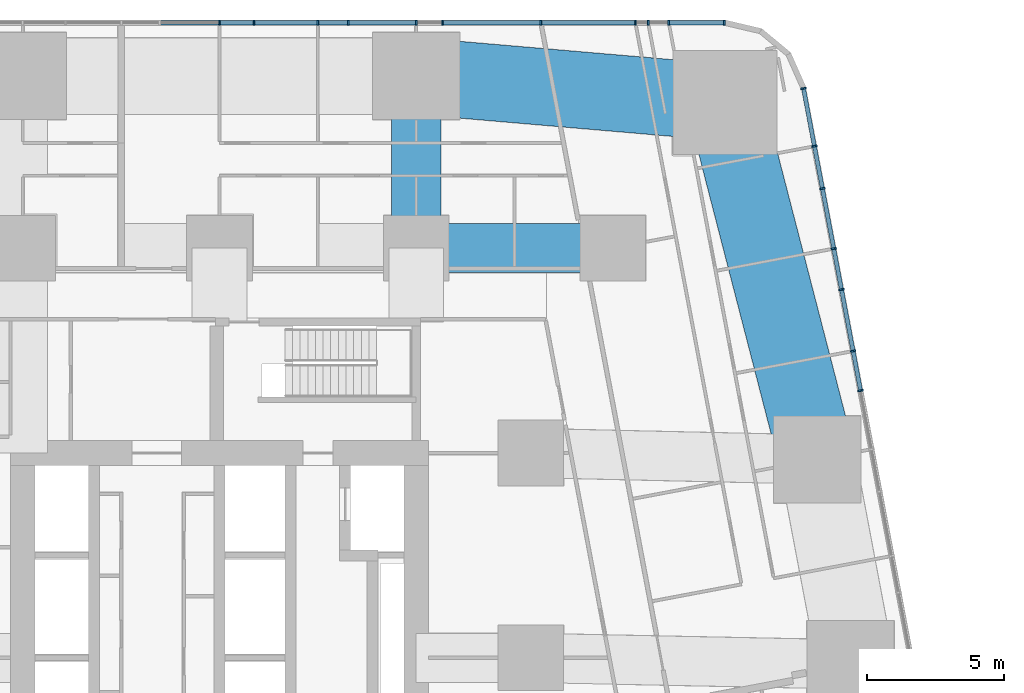
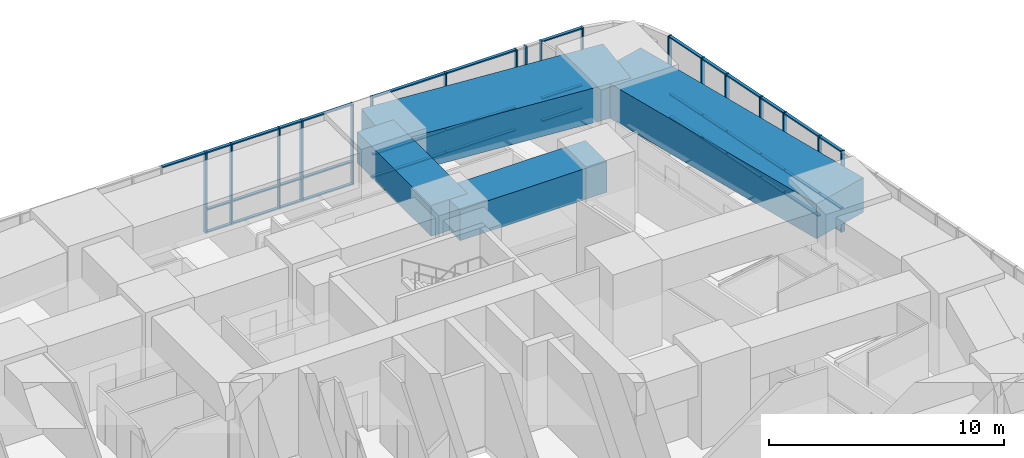
# One storey, part 8 of 23: 58 members, 4 beams, 2 elements without a shape of their own.
"""IFC4 building model written with IfcOpenShell, lengths in metres."""

import ifcopenshell
import ifcopenshell.guid

model = None  # the IFC model being written
_history = None  # IfcOwnerHistory: only IFC2X3 demands one
_inside = {}  # id of a spatial element -> (the spatial element, [elements in it])
_under = {}  # id of a project, library or spatial element -> (it, [spatial elements below it])
_declared = {}  # id of a project -> (the project, [libraries it declares])
_typed = {}  # id of a type object -> (the type object, [elements of that type])
_made_of = {}  # id of a material, layer set ... -> (it, [elements and type objects made of it])


def new_model(schema):
    """Start an empty IFC model of exactly this schema.

    Asked for "IFC4X3", IfcOpenShell would pick the latest addendum, in which some entities
    have other attributes; the version numbers below select the first issue.
    IFC2X3 requires an IfcOwnerHistory on every rooted entity: one is made here for all.
    """
    global model, _history
    if schema == "IFC4X3":
        model = ifcopenshell.file(schema_version=(4, 3, 0, 0))
    else:
        model = ifcopenshell.file(schema=schema)
    _inside.clear()
    _under.clear()
    _declared.clear()
    _typed.clear()
    _made_of.clear()
    _history = None
    if model.schema == "IFC2X3":
        org = make("IfcOrganization", Name="unknown")
        user = make(
            "IfcPersonAndOrganization",
            ThePerson=make("IfcPerson", FamilyName="unknown"),
            TheOrganization=org,
        )
        app = make(
            "IfcApplication",
            ApplicationDeveloper=org,
            Version="unknown",
            ApplicationFullName="unknown",
            ApplicationIdentifier="unknown",
        )
        _history = make(
            "IfcOwnerHistory",
            OwningUser=user,
            OwningApplication=app,
            ChangeAction="ADDED",
            CreationDate=0,
        )
    return model


def make(cls, **values):
    """One entity of the class cls with the attributes given. An attribute that is None is left unset."""
    return model.create_entity(
        cls, **{name: value for name, value in values.items() if value is not None}
    )


def rooted(cls, **values):
    """An entity with a GlobalId (a new one), such as an element, a storey or a relation."""
    return make(cls, GlobalId=ifcopenshell.guid.new(), OwnerHistory=_history, **values)


def si_unit(unit_type, name, prefix=None):
    """IfcSIUnit, for example si_unit("LENGTHUNIT", "METRE", prefix="MILLI")."""
    return make("IfcSIUnit", UnitType=unit_type, Prefix=prefix, Name=name)


def assignment(units):
    """IfcUnitAssignment: the units of a project."""
    return None if units is None else make("IfcUnitAssignment", Units=units)


def point(xyz):
    """IfcCartesianPoint."""
    return None if xyz is None else make("IfcCartesianPoint", Coordinates=xyz)


def direction(xyz):
    """IfcDirection."""
    return None if xyz is None else make("IfcDirection", DirectionRatios=xyz)


def frame(location, z_axis=None, x_axis=None):
    """IfcAxis2Placement3D, a coordinate frame: its origin and axes. An axis left out is left unset."""
    return make(
        "IfcAxis2Placement3D",
        Location=point(location),
        Axis=direction(z_axis),
        RefDirection=direction(x_axis),
    )


def frame_2d(location, x_axis=None):
    """IfcAxis2Placement2D, a coordinate frame in the plane: its origin and x axis."""
    return make(
        "IfcAxis2Placement2D", Location=point(location), RefDirection=direction(x_axis)
    )


def origin():
    """The frame at (0, 0, 0) with its axes left unset."""
    return frame((0.0, 0.0, 0.0))


def origin_2d():
    """The frame at (0, 0) in the plane with its x axis left unset."""
    return frame_2d((0.0, 0.0))


def place(relative_to, where):
    """IfcLocalPlacement: puts the frame where relative to a parent placement (None: the world)."""
    return make(
        "IfcLocalPlacement", PlacementRelTo=relative_to, RelativePlacement=where
    )


def context(
    kind, dimensions, precision=None, world=None, true_north=None, identifier=None
):
    """IfcGeometricRepresentationContext, for example the 3D "Model" context."""
    return make(
        "IfcGeometricRepresentationContext",
        ContextIdentifier=identifier,
        ContextType=kind,
        CoordinateSpaceDimension=dimensions,
        Precision=precision,
        WorldCoordinateSystem=world,
        TrueNorth=true_north,
    )


def subcontext(parent, identifier, kind, view, scale=None):
    """IfcGeometricRepresentationSubContext, for example "Body" below "Model"."""
    return make(
        "IfcGeometricRepresentationSubContext",
        ContextIdentifier=identifier,
        ContextType=kind,
        ParentContext=parent,
        TargetScale=scale,
        TargetView=view,
    )


def project(units=None, contexts=None):
    """IfcProject with its units and contexts."""
    return rooted(
        "IfcProject",
        Name="project",
        RepresentationContexts=contexts,
        UnitsInContext=assignment(units),
    )


def spatial(cls, under=None, at=None, **own):
    """A site, building, storey or space (cls), placed at a placement, below another one or the project."""
    s = rooted(cls, ObjectPlacement=at, **own)
    if under is not None:
        _under.setdefault(under.id(), (under, []))[1].append(s)
    return s


def profile(cls, at=None, kind="AREA", **sizes):
    """A parametric profile (cls). Its sizes go by their IFC names, for example OverallWidth=200.0."""
    return make(cls, ProfileType=kind, Position=at, **sizes)


def rectangle(**sizes):
    """IfcRectangleProfileDef."""
    return profile("IfcRectangleProfileDef", **sizes)


def extrude(swept, where, along, depth):
    """IfcExtrudedAreaSolid: the profile swept, set in the frame where, extruded along a direction by depth."""
    return make(
        "IfcExtrudedAreaSolid",
        SweptArea=swept,
        Position=where,
        ExtrudedDirection=direction(along),
        Depth=depth,
    )


def shape(context_of_items, identifier, shape_type, items):
    """IfcShapeRepresentation: the items that make up one representation, for example the "Body"."""
    return make(
        "IfcShapeRepresentation",
        ContextOfItems=context_of_items,
        RepresentationIdentifier=identifier,
        RepresentationType=shape_type,
        Items=items,
    )


def material(Name=None, Category=None):
    """IfcMaterial."""
    return make("IfcMaterial", Name=Name, Category=Category)


def material_profile(
    of_material, cross_section, Name=None, Category=None, Priority=None
):
    """IfcMaterialProfile: a cross section and its material."""
    return make(
        "IfcMaterialProfile",
        Name=Name,
        Material=of_material,
        Profile=cross_section,
        Priority=Priority,
        Category=Category,
    )


def profile_set(profiles, Name=None, composite=None):
    """IfcMaterialProfileSet."""
    return make(
        "IfcMaterialProfileSet",
        Name=Name,
        MaterialProfiles=profiles,
        CompositeProfile=composite,
    )


def made_of(thing, what):
    """Note that an element or type object is made of a material, layer set ...; save() writes the relation."""
    if what is not None:
        _made_of.setdefault(what.id(), (what, []))[1].append(thing)
    return thing


def type_object(cls, material=None, **own):
    """A type object (cls), such as IfcWallType, which elements share."""
    return made_of(rooted(cls, **own), material)


def element(
    cls,
    number,
    at=None,
    inside=None,
    cuts=None,
    type_object=None,
    material=None,
    context=None,
    identifier="Body",
    shape_type=None,
    held_by="IfcProductDefinitionShape",
    body=None,
    shapes=None,
    **own,
):
    """One element of the class cls, such as IfcWall. Its Tag is "e" and its number.

    at: its placement. inside: the storey or other place that contains it. cuts: it is an
    opening in that element (IfcRelVoidsElement). A single representation is given by context,
    identifier, shape_type and body (its items); several are given by shapes. held_by: the class
    of the entity that holds the representations. save() writes the other relations.
    """
    e = rooted(cls, Tag="e%d" % number, ObjectPlacement=at, **own)
    if body is not None:
        shapes = [shape(context, identifier, shape_type, body)]
    if shapes is not None:
        e.Representation = make(held_by, Representations=shapes)
    if inside is not None:
        _inside.setdefault(inside.id(), (inside, []))[1].append(e)
    if cuts is not None:
        rooted(
            "IfcRelVoidsElement", RelatingBuildingElement=cuts, RelatedOpeningElement=e
        )
    if type_object is not None:
        _typed.setdefault(type_object.id(), (type_object, []))[1].append(e)
    return made_of(e, material)


def aggregate(whole, parts):
    """IfcRelAggregates: a whole, such as a stair, and the parts it consists of."""
    return rooted("IfcRelAggregates", RelatingObject=whole, RelatedObjects=parts)


def save(model, path):
    """Write the relations noted so far, then the file.

    IfcRelAggregates (storeys below a building ...), IfcRelContainedInSpatialStructure (elements
    in a storey), IfcRelDefinesByType, IfcRelAssociatesMaterial and IfcRelDeclares: one each for
    every whole, place, type object, material and project.
    """
    for whole, parts in _under.values():
        aggregate(whole, parts)
    for where, things in _inside.values():
        rooted(
            "IfcRelContainedInSpatialStructure",
            RelatedElements=things,
            RelatingStructure=where,
        )
    for kind, things in _typed.values():
        rooted("IfcRelDefinesByType", RelatedObjects=things, RelatingType=kind)
    for what, things in _made_of.values():
        rooted("IfcRelAssociatesMaterial", RelatedObjects=things, RelatingMaterial=what)
    for by, libraries in _declared.values():
        rooted("IfcRelDeclares", RelatingContext=by, RelatedDefinitions=libraries)
    model.write(path)


model = new_model("IFC4")

# Units and contexts
model_context = context("Model", 3, precision=1e-05, world=origin(), true_north=direction((0.0, 1.0)))
body_context = subcontext(model_context, "Body", "Model", "MODEL_VIEW")
ifc_project = project(units=[si_unit("LENGTHUNIT", "METRE"), si_unit("AREAUNIT", "SQUARE_METRE"), si_unit("VOLUMEUNIT", "CUBIC_METRE"), si_unit("PLANEANGLEUNIT", "RADIAN"), si_unit("MASSUNIT", "GRAM", prefix="KILO")], contexts=[model_context])

# Site, building, storey
site_placement = place(None, origin())
site = spatial("IfcSite", under=ifc_project, at=site_placement, CompositionType="ELEMENT")
building_placement = place(site_placement, origin())
building = spatial("IfcBuilding", under=site, at=building_placement, Name="Sheger Commons Tower", CompositionType="ELEMENT")
storey_placement = place(building_placement, frame((0.0, 0.0, 5.60009765625)))
storey = spatial("IfcBuildingStorey", under=building, at=storey_placement, Name="L01", CompositionType="ELEMENT", Elevation=5.60009765625)

# Beams
ifc_material_1 = material(Name="Concrete C50/60", Category="concrete")
ifc_material_profile_1 = material_profile(ifc_material_1, rectangle(XDim=1.800048828125, YDim=1.60009765625, at=origin_2d()), Name="RC 1800x1600")
ifc_profile_set_1 = profile_set([ifc_material_profile_1], Name="Concrete C50/60")
beam_type_1 = type_object("IfcBeamType", Name="BEAM RC 1800x1600", PredefinedType="BEAM", material=ifc_profile_set_1)
beam_1_placement = place(storey_placement, frame((28.800048828125, 37.5, 3.39990234375), z_axis=(1.0, 0.0, 0.0), x_axis=(0.0, 1.0, 0.0)))
element("IfcBeam", 1, at=beam_1_placement, inside=storey, type_object=beam_type_1, Name="Beam 5/F-6/F under L02", PredefinedType="BEAM", context=body_context, shape_type="SweptSolid", body=[
    extrude(rectangle(XDim=1.800048828125, YDim=1.60009765625, at=origin_2d()), origin(), (0.0, 0.0, 1.0), 7.199951171875),
])
beam_2_placement = place(storey_placement, frame((28.800048828125, 37.5, 3.39990234375), z_axis=(0.0, 1.0, 0.0), x_axis=(-1.0, 0.0, 0.0)))
element("IfcBeam", 2, at=beam_2_placement, inside=storey, type_object=beam_type_1, Name="Beam 5/F-5/G under L02", PredefinedType="BEAM", context=body_context, shape_type="SweptSolid", body=[
    extrude(rectangle(XDim=1.800048828125, YDim=1.60009765625, at=origin_2d()), origin(), (0.0, 0.0, 1.0), 6.300048828125),
])

# Curtain wall, members
ifc_material_2 = material(Name="Black aluminium curtain wall, dark tinted glazing", Category="aluminium")
curtain_wall_type = type_object("IfcCurtainWallType", Name="CURTAIN WALL CW2 HEALTH CENTRE", PredefinedType="USERDEFINED", material=ifc_material_2)
curtain_wall_1_placement = place(storey_placement, origin())
curtain_wall_1 = element("IfcCurtainWall", 3, at=curtain_wall_1_placement, inside=storey, type_object=curtain_wall_type, Name="Curtain Wall Cw2 Health Centre E1 L01", ObjectType="STICK CURTAIN WALL", PredefinedType="USERDEFINED")
ifc_material_3 = material(Name="Black anodised aluminium", Category="aluminium")
ifc_material_profile_2 = material_profile(ifc_material_3, rectangle(XDim=0.199951171875, YDim=0.06494140625, at=origin_2d()), Name="AL 65x200")
ifc_profile_set_2 = profile_set([ifc_material_profile_2], Name="Black anodised aluminium")
member_type_1 = type_object("IfcMemberType", Name="MULLION AL 65x200", PredefinedType="MULLION", material=ifc_profile_set_2)
member_1_placement = place(storey_placement, frame((45.0654296875, 32.283935546875, 0.0), z_axis=(0.0, 0.0, 1.0), x_axis=(-0.982623514181, -0.185609884918, 0.0)))
member_1 = element("IfcMember", 4, at=member_1_placement, type_object=member_type_1, Name="CW2 mullion 15", PredefinedType="MULLION", context=body_context, shape_type="SweptSolid", body=[
    extrude(rectangle(XDim=0.199951171875, YDim=0.06494140625, at=origin_2d()), origin(), (0.0, 0.0, 1.0), 4.199951171875),
])
member_2_placement = place(storey_placement, frame((44.7919921875, 33.731201171875, 0.0), z_axis=(0.0, 0.0, 1.0), x_axis=(-0.982623514181, -0.185609884918, 0.0)))
member_2 = element("IfcMember", 5, at=member_2_placement, type_object=member_type_1, Name="CW2 mullion 16", PredefinedType="MULLION", context=body_context, shape_type="SweptSolid", body=[
    extrude(rectangle(XDim=0.199951171875, YDim=0.06494140625, at=origin_2d()), origin(), (0.0, 0.0, 1.0), 4.199951171875),
])
member_3_placement = place(storey_placement, frame((44.366943359375, 35.9814453125, 0.0), z_axis=(0.0, 0.0, 1.0), x_axis=(-0.982623514181, -0.185609884918, 0.0)))
member_3 = element("IfcMember", 6, at=member_3_placement, type_object=member_type_1, Name="CW2 mullion 17", PredefinedType="MULLION", context=body_context, shape_type="SweptSolid", body=[
    extrude(rectangle(XDim=0.199951171875, YDim=0.06494140625, at=origin_2d()), origin(), (0.0, 0.0, 1.0), 4.199951171875),
])
member_4_placement = place(storey_placement, frame((44.083740234375, 37.48095703125, 0.0), z_axis=(0.0, 0.0, 1.0), x_axis=(-0.982623514181, -0.185609884918, 0.0)))
member_4 = element("IfcMember", 7, at=member_4_placement, type_object=member_type_1, Name="CW2 mullion 18", PredefinedType="MULLION", context=body_context, shape_type="SweptSolid", body=[
    extrude(rectangle(XDim=0.199951171875, YDim=0.06494140625, at=origin_2d()), origin(), (0.0, 0.0, 1.0), 4.199951171875),
])
member_5_placement = place(storey_placement, frame((43.66845703125, 39.67919921875, 0.0), z_axis=(0.0, 0.0, 1.0), x_axis=(-0.982623514181, -0.185609884918, 0.0)))
member_5 = element("IfcMember", 8, at=member_5_placement, type_object=member_type_1, Name="CW2 mullion 19", PredefinedType="MULLION", context=body_context, shape_type="SweptSolid", body=[
    extrude(rectangle(XDim=0.199951171875, YDim=0.06494140625, at=origin_2d()), origin(), (0.0, 0.0, 1.0), 4.199951171875),
])
member_6_placement = place(storey_placement, frame((43.37548828125, 41.230712890625, 0.0), z_axis=(0.0, 0.0, 1.0), x_axis=(-0.982623514181, -0.185609884918, 0.0)))
member_6 = element("IfcMember", 9, at=member_6_placement, type_object=member_type_1, Name="CW2 mullion 20", PredefinedType="MULLION", context=body_context, shape_type="SweptSolid", body=[
    extrude(rectangle(XDim=0.199951171875, YDim=0.06494140625, at=origin_2d()), origin(), (0.0, 0.0, 1.0), 4.199951171875),
])
member_7_placement = place(storey_placement, frame((42.97607421875, 43.344970703125, 0.0), z_axis=(0.0, 0.0, 1.0), x_axis=(-0.982623514181, -0.185609884918, 0.0)))
member_7 = element("IfcMember", 10, at=member_7_placement, type_object=member_type_1, Name="CW2 mullion 21", PredefinedType="MULLION", context=body_context, shape_type="SweptSolid", body=[
    extrude(rectangle(XDim=0.199951171875, YDim=0.06494140625, at=origin_2d()), origin(), (0.0, 0.0, 1.0), 4.199951171875),
])

curtain_wall_2_placement = place(storey_placement, origin())
curtain_wall_2 = element("IfcCurtainWall", 11, at=curtain_wall_2_placement, inside=storey, type_object=curtain_wall_type, Name="Curtain Wall Cw2 Health Centre N1 L01", ObjectType="STICK CURTAIN WALL", PredefinedType="USERDEFINED")
member_8_placement = place(storey_placement, frame((40.073486328125, 45.75, 0.0), z_axis=(0.0, 0.0, 1.0), x_axis=(0.0, -1.0, 0.0)))
member_8 = element("IfcMember", 12, at=member_8_placement, type_object=member_type_1, Name="CW2 mullion 1", PredefinedType="MULLION", context=body_context, shape_type="SweptSolid", body=[
    extrude(rectangle(XDim=0.199951171875, YDim=0.06494140625, at=origin_2d()), origin(), (0.0, 0.0, 1.0), 4.199951171875),
])
member_9_placement = place(storey_placement, frame((38.0439453125, 45.75, 0.0), z_axis=(0.0, 0.0, 1.0), x_axis=(0.0, -1.0, 0.0)))
member_9 = element("IfcMember", 13, at=member_9_placement, type_object=member_type_1, Name="CW2 mullion 2", PredefinedType="MULLION", context=body_context, shape_type="SweptSolid", body=[
    extrude(rectangle(XDim=0.199951171875, YDim=0.06494140625, at=origin_2d()), origin(), (0.0, 0.0, 1.0), 4.199951171875),
])
member_10_placement = place(storey_placement, frame((37.2919921875, 45.75, 0.0), z_axis=(0.0, 0.0, 1.0), x_axis=(0.0, -1.0, 0.0)))
member_10 = element("IfcMember", 14, at=member_10_placement, type_object=member_type_1, Name="CW2 mullion 3", PredefinedType="MULLION", context=body_context, shape_type="SweptSolid", body=[
    extrude(rectangle(XDim=0.199951171875, YDim=0.06494140625, at=origin_2d()), origin(), (0.0, 0.0, 1.0), 4.199951171875),
])
member_11_placement = place(storey_placement, frame((36.822998046875, 45.75, 0.0), z_axis=(0.0, 0.0, 1.0), x_axis=(0.0, -1.0, 0.0)))
member_11 = element("IfcMember", 15, at=member_11_placement, type_object=member_type_1, Name="CW2 mullion 4", PredefinedType="MULLION", context=body_context, shape_type="SweptSolid", body=[
    extrude(rectangle(XDim=0.199951171875, YDim=0.06494140625, at=origin_2d()), origin(), (0.0, 0.0, 1.0), 4.199951171875),
])
member_12_placement = place(storey_placement, frame((33.363037109375, 45.75, 0.0), z_axis=(0.0, 0.0, 1.0), x_axis=(0.0, -1.0, 0.0)))
member_12 = element("IfcMember", 16, at=member_12_placement, type_object=member_type_1, Name="CW2 mullion 5", PredefinedType="MULLION", context=body_context, shape_type="SweptSolid", body=[
    extrude(rectangle(XDim=0.199951171875, YDim=0.06494140625, at=origin_2d()), origin(), (0.0, 0.0, 1.0), 4.199951171875),
])
member_13_placement = place(storey_placement, frame((29.758056640625, 45.75, 0.0), z_axis=(0.0, 0.0, 1.0), x_axis=(0.0, -1.0, 0.0)))
member_13 = element("IfcMember", 17, at=member_13_placement, type_object=member_type_1, Name="CW2 mullion 6", PredefinedType="MULLION", context=body_context, shape_type="SweptSolid", body=[
    extrude(rectangle(XDim=0.199951171875, YDim=0.06494140625, at=origin_2d()), origin(), (0.0, 0.0, 1.0), 4.199951171875),
])
member_14_placement = place(storey_placement, frame((28.800048828125, 45.75, 0.0), z_axis=(0.0, 0.0, 1.0), x_axis=(0.0, -1.0, 0.0)))
member_14 = element("IfcMember", 18, at=member_14_placement, type_object=member_type_1, Name="CW2 mullion 7", PredefinedType="MULLION", context=body_context, shape_type="SweptSolid", body=[
    extrude(rectangle(XDim=0.199951171875, YDim=0.06494140625, at=origin_2d()), origin(), (0.0, 0.0, 1.0), 4.199951171875),
])
member_15_placement = place(storey_placement, frame((26.30908203125, 45.75, 0.0), z_axis=(0.0, 0.0, 1.0), x_axis=(0.0, -1.0, 0.0)))
member_15 = element("IfcMember", 19, at=member_15_placement, type_object=member_type_1, Name="CW2 mullion 8", PredefinedType="MULLION", context=body_context, shape_type="SweptSolid", body=[
    extrude(rectangle(XDim=0.199951171875, YDim=0.06494140625, at=origin_2d()), origin(), (0.0, 0.0, 1.0), 4.199951171875),
])
member_16_placement = place(storey_placement, frame((25.199951171875, 45.75, 0.0), z_axis=(0.0, 0.0, 1.0), x_axis=(0.0, -1.0, 0.0)))
member_16 = element("IfcMember", 20, at=member_16_placement, type_object=member_type_1, Name="CW2 mullion 9", PredefinedType="MULLION", context=body_context, shape_type="SweptSolid", body=[
    extrude(rectangle(XDim=0.199951171875, YDim=0.06494140625, at=origin_2d()), origin(), (0.0, 0.0, 1.0), 4.199951171875),
])
member_17_placement = place(storey_placement, frame((22.85888671875, 45.75, 0.0), z_axis=(0.0, 0.0, 1.0), x_axis=(0.0, -1.0, 0.0)))
member_17 = element("IfcMember", 21, at=member_17_placement, type_object=member_type_1, Name="CW2 mullion 10", PredefinedType="MULLION", context=body_context, shape_type="SweptSolid", body=[
    extrude(rectangle(XDim=0.199951171875, YDim=0.06494140625, at=origin_2d()), origin(), (0.0, 0.0, 1.0), 4.199951171875),
])
member_18_placement = place(storey_placement, frame((21.60009765625, 45.75, 0.0), z_axis=(0.0, 0.0, 1.0), x_axis=(0.0, -1.0, 0.0)))
member_18 = element("IfcMember", 22, at=member_18_placement, type_object=member_type_1, Name="CW2 mullion 11", PredefinedType="MULLION", context=body_context, shape_type="SweptSolid", body=[
    extrude(rectangle(XDim=0.199951171875, YDim=0.06494140625, at=origin_2d()), origin(), (0.0, 0.0, 1.0), 4.199951171875),
])

# Beams
ifc_material_4 = material(Name="Concrete C50/60", Category="concrete")
ifc_material_profile_3 = material_profile(ifc_material_4, rectangle(XDim=2.800048828125, YDim=1.800048828125, at=origin_2d()), Name="RC 2800x1800")
ifc_profile_set_3 = profile_set([ifc_material_profile_3], Name="Concrete C50/60")
beam_type_2 = type_object("IfcBeamType", Name="SPANDREL RC 2800x1800", PredefinedType="SPANDREL", material=ifc_profile_set_3)
beam_3_placement = place(storey_placement, frame((43.47998046875, 29.762939453125, 3.2998046875), z_axis=(-0.250278460129, 0.968173895742, 0.0), x_axis=(-0.968173895742, -0.250278460129, 0.0)))
element("IfcBeam", 23, at=beam_3_placement, inside=storey, type_object=beam_type_2, Name="Beam E/E-41.490,44.505 under L02", PredefinedType="SPANDREL", context=body_context, shape_type="SweptSolid", body=[
    extrude(rectangle(XDim=2.800048828125, YDim=1.800048828125, at=origin_2d()), origin(), (0.0, 0.0, 1.0), 13.49658203125),
])
beam_4_placement = place(storey_placement, frame((40.10205078125, 42.830078125, 3.2998046875), z_axis=(-0.996337434304, 0.085508578543, 0.0), x_axis=(-0.085508578543, -0.996337434304, 0.0)))
element("IfcBeam", 24, at=beam_4_placement, inside=storey, type_object=beam_type_2, Name="Beam 41.490,44.505-5/G under L02", PredefinedType="SPANDREL", context=body_context, shape_type="SweptSolid", body=[
    extrude(rectangle(XDim=2.800048828125, YDim=1.800048828125, at=origin_2d()), origin(), (0.0, 0.0, 1.0), 11.343505859375),
])

# Member
ifc_material_5 = material(Name="Black anodised aluminium", Category="aluminium")
ifc_material_profile_4 = material_profile(ifc_material_5, rectangle(XDim=0.14990234375, YDim=0.06494140625, at=origin_2d()), Name="AL 65x150")
ifc_profile_set_4 = profile_set([ifc_material_profile_4], Name="Black anodised aluminium")
member_type_2 = type_object("IfcMemberType", Name="TRANSOM AL 65x150", PredefinedType="USERDEFINED", material=ifc_profile_set_4)
member_19_placement = place(storey_placement, frame((45.059326171875, 32.31591796875, 0.032470703125), z_axis=(-0.185534224292, 0.982637802863, 0.0), x_axis=(-0.982637802863, -0.185534224292, 0.0)))
member_19 = element("IfcMember", 25, at=member_19_placement, type_object=member_type_2, Name="CW2 transom 15.1", ObjectType="TRANSOM", PredefinedType="USERDEFINED", context=body_context, shape_type="SweptSolid", body=[
    extrude(rectangle(XDim=0.14990234375, YDim=0.06494140625, at=origin_2d()), origin(), (0.0, 0.0, 1.0), 1.407958984375),
])

member_20_placement = place(storey_placement, frame((45.059326171875, 32.31591796875, 1.199951171875), z_axis=(-0.185534224292, 0.982637802863, 0.0), x_axis=(-0.982637802863, -0.185534224292, 0.0)))
member_20 = element("IfcMember", 26, at=member_20_placement, type_object=member_type_2, Name="CW2 transom 15.2", ObjectType="TRANSOM", PredefinedType="USERDEFINED", context=body_context, shape_type="SweptSolid", body=[
    extrude(rectangle(XDim=0.14990234375, YDim=0.06494140625, at=origin_2d()), origin(), (0.0, 0.0, 1.0), 1.407958984375),
])

member_21_placement = place(storey_placement, frame((45.059326171875, 32.31591796875, 4.16748046875), z_axis=(-0.185534224292, 0.982637802863, 0.0), x_axis=(-0.982637802863, -0.185534224292, 0.0)))
member_21 = element("IfcMember", 27, at=member_21_placement, type_object=member_type_2, Name="CW2 transom 15.3", ObjectType="TRANSOM", PredefinedType="USERDEFINED", context=body_context, shape_type="SweptSolid", body=[
    extrude(rectangle(XDim=0.14990234375, YDim=0.06494140625, at=origin_2d()), origin(), (0.0, 0.0, 1.0), 1.407958984375),
])

member_22_placement = place(storey_placement, frame((44.785888671875, 33.76318359375, 0.032470703125), z_axis=(-0.185553799475, 0.982634106624, 0.0), x_axis=(-0.982634106624, -0.185553799475, 0.0)))
member_22 = element("IfcMember", 28, at=member_22_placement, type_object=member_type_2, Name="CW2 transom 16.1", ObjectType="TRANSOM", PredefinedType="USERDEFINED", context=body_context, shape_type="SweptSolid", body=[
    extrude(rectangle(XDim=0.14990234375, YDim=0.06494140625, at=origin_2d()), origin(), (0.0, 0.0, 1.0), 2.224853515625),
])

member_23_placement = place(storey_placement, frame((44.785888671875, 33.76318359375, 1.199951171875), z_axis=(-0.185553799475, 0.982634106624, 0.0), x_axis=(-0.982634106624, -0.185553799475, 0.0)))
member_23 = element("IfcMember", 29, at=member_23_placement, type_object=member_type_2, Name="CW2 transom 16.2", ObjectType="TRANSOM", PredefinedType="USERDEFINED", context=body_context, shape_type="SweptSolid", body=[
    extrude(rectangle(XDim=0.14990234375, YDim=0.06494140625, at=origin_2d()), origin(), (0.0, 0.0, 1.0), 2.224853515625),
])

member_24_placement = place(storey_placement, frame((44.785888671875, 33.76318359375, 4.16748046875), z_axis=(-0.185553799475, 0.982634106624, 0.0), x_axis=(-0.982634106624, -0.185553799475, 0.0)))
member_24 = element("IfcMember", 30, at=member_24_placement, type_object=member_type_2, Name="CW2 transom 16.3", ObjectType="TRANSOM", PredefinedType="USERDEFINED", context=body_context, shape_type="SweptSolid", body=[
    extrude(rectangle(XDim=0.14990234375, YDim=0.06494140625, at=origin_2d()), origin(), (0.0, 0.0, 1.0), 2.224853515625),
])

member_25_placement = place(storey_placement, frame((44.36083984375, 36.013427734375, 0.032470703125), z_axis=(-0.185499200807, 0.982644415086, 0.0), x_axis=(-0.982644415086, -0.185499200807, 0.0)))
member_25 = element("IfcMember", 31, at=member_25_placement, type_object=member_type_2, Name="CW2 transom 17.1", ObjectType="TRANSOM", PredefinedType="USERDEFINED", context=body_context, shape_type="SweptSolid", body=[
    extrude(rectangle(XDim=0.14990234375, YDim=0.06494140625, at=origin_2d()), origin(), (0.0, 0.0, 1.0), 1.4609375),
])

member_26_placement = place(storey_placement, frame((44.36083984375, 36.013427734375, 1.199951171875), z_axis=(-0.185499200807, 0.982644415086, 0.0), x_axis=(-0.982644415086, -0.185499200807, 0.0)))
member_26 = element("IfcMember", 32, at=member_26_placement, type_object=member_type_2, Name="CW2 transom 17.2", ObjectType="TRANSOM", PredefinedType="USERDEFINED", context=body_context, shape_type="SweptSolid", body=[
    extrude(rectangle(XDim=0.14990234375, YDim=0.06494140625, at=origin_2d()), origin(), (0.0, 0.0, 1.0), 1.4609375),
])

member_27_placement = place(storey_placement, frame((44.36083984375, 36.013427734375, 4.16748046875), z_axis=(-0.185499200807, 0.982644415086, 0.0), x_axis=(-0.982644415086, -0.185499200807, 0.0)))
member_27 = element("IfcMember", 33, at=member_27_placement, type_object=member_type_2, Name="CW2 transom 17.3", ObjectType="TRANSOM", PredefinedType="USERDEFINED", context=body_context, shape_type="SweptSolid", body=[
    extrude(rectangle(XDim=0.14990234375, YDim=0.06494140625, at=origin_2d()), origin(), (0.0, 0.0, 1.0), 1.4609375),
])

member_28_placement = place(storey_placement, frame((44.07763671875, 37.512939453125, 0.032470703125), z_axis=(-0.185577833075, 0.982629567981, 0.0), x_axis=(-0.982629567981, -0.185577833075, 0.0)))
member_28 = element("IfcMember", 34, at=member_28_placement, type_object=member_type_2, Name="CW2 transom 18.1", ObjectType="TRANSOM", PredefinedType="USERDEFINED", context=body_context, shape_type="SweptSolid", body=[
    extrude(rectangle(XDim=0.14990234375, YDim=0.06494140625, at=origin_2d()), origin(), (0.0, 0.0, 1.0), 2.172119140625),
])

member_29_placement = place(storey_placement, frame((44.07763671875, 37.512939453125, 1.199951171875), z_axis=(-0.185577833075, 0.982629567981, 0.0), x_axis=(-0.982629567981, -0.185577833075, 0.0)))
member_29 = element("IfcMember", 35, at=member_29_placement, type_object=member_type_2, Name="CW2 transom 18.2", ObjectType="TRANSOM", PredefinedType="USERDEFINED", context=body_context, shape_type="SweptSolid", body=[
    extrude(rectangle(XDim=0.14990234375, YDim=0.06494140625, at=origin_2d()), origin(), (0.0, 0.0, 1.0), 2.172119140625),
])

member_30_placement = place(storey_placement, frame((44.07763671875, 37.512939453125, 4.16748046875), z_axis=(-0.185577833075, 0.982629567981, 0.0), x_axis=(-0.982629567981, -0.185577833075, 0.0)))
member_30 = element("IfcMember", 36, at=member_30_placement, type_object=member_type_2, Name="CW2 transom 18.3", ObjectType="TRANSOM", PredefinedType="USERDEFINED", context=body_context, shape_type="SweptSolid", body=[
    extrude(rectangle(XDim=0.14990234375, YDim=0.06494140625, at=origin_2d()), origin(), (0.0, 0.0, 1.0), 2.172119140625),
])

member_31_placement = place(storey_placement, frame((43.662353515625, 39.7109375, 0.032470703125), z_axis=(-0.185592935621, 0.982626715619, 0.0), x_axis=(-0.982626715619, -0.185592935621, 0.0)))
member_31 = element("IfcMember", 37, at=member_31_placement, type_object=member_type_2, Name="CW2 transom 19.1", ObjectType="TRANSOM", PredefinedType="USERDEFINED", context=body_context, shape_type="SweptSolid", body=[
    extrude(rectangle(XDim=0.14990234375, YDim=0.06494140625, at=origin_2d()), origin(), (0.0, 0.0, 1.0), 1.51416015625),
])

member_32_placement = place(storey_placement, frame((43.662353515625, 39.7109375, 1.199951171875), z_axis=(-0.185592935621, 0.982626715619, 0.0), x_axis=(-0.982626715619, -0.185592935621, 0.0)))
member_32 = element("IfcMember", 38, at=member_32_placement, type_object=member_type_2, Name="CW2 transom 19.2", ObjectType="TRANSOM", PredefinedType="USERDEFINED", context=body_context, shape_type="SweptSolid", body=[
    extrude(rectangle(XDim=0.14990234375, YDim=0.06494140625, at=origin_2d()), origin(), (0.0, 0.0, 1.0), 1.51416015625),
])

member_33_placement = place(storey_placement, frame((43.662353515625, 39.7109375, 4.16748046875), z_axis=(-0.185592935621, 0.982626715619, 0.0), x_axis=(-0.982626715619, -0.185592935621, 0.0)))
member_33 = element("IfcMember", 39, at=member_33_placement, type_object=member_type_2, Name="CW2 transom 19.3", ObjectType="TRANSOM", PredefinedType="USERDEFINED", context=body_context, shape_type="SweptSolid", body=[
    extrude(rectangle(XDim=0.14990234375, YDim=0.06494140625, at=origin_2d()), origin(), (0.0, 0.0, 1.0), 1.51416015625),
])

member_34_placement = place(storey_placement, frame((43.369384765625, 41.2626953125, 0.032470703125), z_axis=(-0.185552802901, 0.982634294809, 0.0), x_axis=(-0.982634294809, -0.185552802901, 0.0)))
member_34 = element("IfcMember", 40, at=member_34_placement, type_object=member_type_2, Name="CW2 transom 20.1", ObjectType="TRANSOM", PredefinedType="USERDEFINED", context=body_context, shape_type="SweptSolid", body=[
    extrude(rectangle(XDim=0.14990234375, YDim=0.06494140625, at=origin_2d()), origin(), (0.0, 0.0, 1.0), 2.086669921875),
])

member_35_placement = place(storey_placement, frame((43.369384765625, 41.2626953125, 1.199951171875), z_axis=(-0.185552802901, 0.982634294809, 0.0), x_axis=(-0.982634294809, -0.185552802901, 0.0)))
member_35 = element("IfcMember", 41, at=member_35_placement, type_object=member_type_2, Name="CW2 transom 20.2", ObjectType="TRANSOM", PredefinedType="USERDEFINED", context=body_context, shape_type="SweptSolid", body=[
    extrude(rectangle(XDim=0.14990234375, YDim=0.06494140625, at=origin_2d()), origin(), (0.0, 0.0, 1.0), 2.086669921875),
])

member_36_placement = place(storey_placement, frame((43.369384765625, 41.2626953125, 4.16748046875), z_axis=(-0.185552802901, 0.982634294809, 0.0), x_axis=(-0.982634294809, -0.185552802901, 0.0)))
member_36 = element("IfcMember", 42, at=member_36_placement, type_object=member_type_2, Name="CW2 transom 20.3", ObjectType="TRANSOM", PredefinedType="USERDEFINED", context=body_context, shape_type="SweptSolid", body=[
    extrude(rectangle(XDim=0.14990234375, YDim=0.06494140625, at=origin_2d()), origin(), (0.0, 0.0, 1.0), 2.086669921875),
])

aggregate(curtain_wall_1, [member_1, member_2, member_3, member_4, member_5, member_6, member_7, member_19, member_20, member_21, member_22, member_23, member_24, member_25, member_26, member_27, member_28, member_29, member_30, member_31, member_32, member_33, member_34, member_35, member_36])

member_37_placement = place(storey_placement, frame((40.041015625, 45.75, 0.032470703125), z_axis=(-1.0, 0.0, 0.0), x_axis=(0.0, -1.0, 0.0)))
member_37 = element("IfcMember", 43, at=member_37_placement, type_object=member_type_2, Name="CW2 transom 1.1", ObjectType="TRANSOM", PredefinedType="USERDEFINED", context=body_context, shape_type="SweptSolid", body=[
    extrude(rectangle(XDim=0.14990234375, YDim=0.06494140625, at=origin_2d()), origin(), (0.0, 0.0, 1.0), 1.964599609375),
])

member_38_placement = place(storey_placement, frame((40.041015625, 45.75, 1.199951171875), z_axis=(-1.0, 0.0, 0.0), x_axis=(0.0, -1.0, 0.0)))
member_38 = element("IfcMember", 44, at=member_38_placement, type_object=member_type_2, Name="CW2 transom 1.2", ObjectType="TRANSOM", PredefinedType="USERDEFINED", context=body_context, shape_type="SweptSolid", body=[
    extrude(rectangle(XDim=0.14990234375, YDim=0.06494140625, at=origin_2d()), origin(), (0.0, 0.0, 1.0), 1.964599609375),
])

member_39_placement = place(storey_placement, frame((40.041015625, 45.75, 4.16748046875), z_axis=(-1.0, 0.0, 0.0), x_axis=(0.0, -1.0, 0.0)))
member_39 = element("IfcMember", 45, at=member_39_placement, type_object=member_type_2, Name="CW2 transom 1.3", ObjectType="TRANSOM", PredefinedType="USERDEFINED", context=body_context, shape_type="SweptSolid", body=[
    extrude(rectangle(XDim=0.14990234375, YDim=0.06494140625, at=origin_2d()), origin(), (0.0, 0.0, 1.0), 1.964599609375),
])

member_40_placement = place(storey_placement, frame((36.79052734375, 45.75, 0.032470703125), z_axis=(-1.0, 0.0, 0.0), x_axis=(0.0, -1.0, 0.0)))
member_40 = element("IfcMember", 46, at=member_40_placement, type_object=member_type_2, Name="CW2 transom 4.1", ObjectType="TRANSOM", PredefinedType="USERDEFINED", context=body_context, shape_type="SweptSolid", body=[
    extrude(rectangle(XDim=0.14990234375, YDim=0.06494140625, at=origin_2d()), origin(), (0.0, 0.0, 1.0), 3.39501953125),
])

member_41_placement = place(storey_placement, frame((36.79052734375, 45.75, 1.199951171875), z_axis=(-1.0, 0.0, 0.0), x_axis=(0.0, -1.0, 0.0)))
member_41 = element("IfcMember", 47, at=member_41_placement, type_object=member_type_2, Name="CW2 transom 4.2", ObjectType="TRANSOM", PredefinedType="USERDEFINED", context=body_context, shape_type="SweptSolid", body=[
    extrude(rectangle(XDim=0.14990234375, YDim=0.06494140625, at=origin_2d()), origin(), (0.0, 0.0, 1.0), 3.39501953125),
])

member_42_placement = place(storey_placement, frame((36.79052734375, 45.75, 4.16748046875), z_axis=(-1.0, 0.0, 0.0), x_axis=(0.0, -1.0, 0.0)))
member_42 = element("IfcMember", 48, at=member_42_placement, type_object=member_type_2, Name="CW2 transom 4.3", ObjectType="TRANSOM", PredefinedType="USERDEFINED", context=body_context, shape_type="SweptSolid", body=[
    extrude(rectangle(XDim=0.14990234375, YDim=0.06494140625, at=origin_2d()), origin(), (0.0, 0.0, 1.0), 3.39501953125),
])

member_43_placement = place(storey_placement, frame((33.33056640625, 45.75, 0.032470703125), z_axis=(-1.0, 0.0, 0.0), x_axis=(0.0, -1.0, 0.0)))
member_43 = element("IfcMember", 49, at=member_43_placement, type_object=member_type_2, Name="CW2 transom 5.1", ObjectType="TRANSOM", PredefinedType="USERDEFINED", context=body_context, shape_type="SweptSolid", body=[
    extrude(rectangle(XDim=0.14990234375, YDim=0.06494140625, at=origin_2d()), origin(), (0.0, 0.0, 1.0), 3.5400390625),
])

member_44_placement = place(storey_placement, frame((33.33056640625, 45.75, 1.199951171875), z_axis=(-1.0, 0.0, 0.0), x_axis=(0.0, -1.0, 0.0)))
member_44 = element("IfcMember", 50, at=member_44_placement, type_object=member_type_2, Name="CW2 transom 5.2", ObjectType="TRANSOM", PredefinedType="USERDEFINED", context=body_context, shape_type="SweptSolid", body=[
    extrude(rectangle(XDim=0.14990234375, YDim=0.06494140625, at=origin_2d()), origin(), (0.0, 0.0, 1.0), 3.5400390625),
])

member_45_placement = place(storey_placement, frame((33.33056640625, 45.75, 4.16748046875), z_axis=(-1.0, 0.0, 0.0), x_axis=(0.0, -1.0, 0.0)))
member_45 = element("IfcMember", 51, at=member_45_placement, type_object=member_type_2, Name="CW2 transom 5.3", ObjectType="TRANSOM", PredefinedType="USERDEFINED", context=body_context, shape_type="SweptSolid", body=[
    extrude(rectangle(XDim=0.14990234375, YDim=0.06494140625, at=origin_2d()), origin(), (0.0, 0.0, 1.0), 3.5400390625),
])

member_46_placement = place(storey_placement, frame((28.767578125, 45.75, 0.032470703125), z_axis=(-1.0, 0.0, 0.0), x_axis=(0.0, -1.0, 0.0)))
member_46 = element("IfcMember", 52, at=member_46_placement, type_object=member_type_2, Name="CW2 transom 7.1", ObjectType="TRANSOM", PredefinedType="USERDEFINED", context=body_context, shape_type="SweptSolid", body=[
    extrude(rectangle(XDim=0.14990234375, YDim=0.06494140625, at=origin_2d()), origin(), (0.0, 0.0, 1.0), 2.426025390625),
])

member_47_placement = place(storey_placement, frame((28.767578125, 45.75, 1.199951171875), z_axis=(-1.0, 0.0, 0.0), x_axis=(0.0, -1.0, 0.0)))
member_47 = element("IfcMember", 53, at=member_47_placement, type_object=member_type_2, Name="CW2 transom 7.2", ObjectType="TRANSOM", PredefinedType="USERDEFINED", context=body_context, shape_type="SweptSolid", body=[
    extrude(rectangle(XDim=0.14990234375, YDim=0.06494140625, at=origin_2d()), origin(), (0.0, 0.0, 1.0), 2.426025390625),
])

member_48_placement = place(storey_placement, frame((28.767578125, 45.75, 4.16748046875), z_axis=(-1.0, 0.0, 0.0), x_axis=(0.0, -1.0, 0.0)))
member_48 = element("IfcMember", 54, at=member_48_placement, type_object=member_type_2, Name="CW2 transom 7.3", ObjectType="TRANSOM", PredefinedType="USERDEFINED", context=body_context, shape_type="SweptSolid", body=[
    extrude(rectangle(XDim=0.14990234375, YDim=0.06494140625, at=origin_2d()), origin(), (0.0, 0.0, 1.0), 2.426025390625),
])

member_49_placement = place(storey_placement, frame((26.276611328125, 45.75, 0.032470703125), z_axis=(-1.0, 0.0, 0.0), x_axis=(0.0, -1.0, 0.0)))
member_49 = element("IfcMember", 55, at=member_49_placement, type_object=member_type_2, Name="CW2 transom 8.1", ObjectType="TRANSOM", PredefinedType="USERDEFINED", context=body_context, shape_type="SweptSolid", body=[
    extrude(rectangle(XDim=0.14990234375, YDim=0.06494140625, at=origin_2d()), origin(), (0.0, 0.0, 1.0), 1.044189453125),
])

member_50_placement = place(storey_placement, frame((26.276611328125, 45.75, 1.199951171875), z_axis=(-1.0, 0.0, 0.0), x_axis=(0.0, -1.0, 0.0)))
member_50 = element("IfcMember", 56, at=member_50_placement, type_object=member_type_2, Name="CW2 transom 8.2", ObjectType="TRANSOM", PredefinedType="USERDEFINED", context=body_context, shape_type="SweptSolid", body=[
    extrude(rectangle(XDim=0.14990234375, YDim=0.06494140625, at=origin_2d()), origin(), (0.0, 0.0, 1.0), 1.044189453125),
])

member_51_placement = place(storey_placement, frame((26.276611328125, 45.75, 4.16748046875), z_axis=(-1.0, 0.0, 0.0), x_axis=(0.0, -1.0, 0.0)))
member_51 = element("IfcMember", 57, at=member_51_placement, type_object=member_type_2, Name="CW2 transom 8.3", ObjectType="TRANSOM", PredefinedType="USERDEFINED", context=body_context, shape_type="SweptSolid", body=[
    extrude(rectangle(XDim=0.14990234375, YDim=0.06494140625, at=origin_2d()), origin(), (0.0, 0.0, 1.0), 1.044189453125),
])

member_52_placement = place(storey_placement, frame((25.16748046875, 45.75, 0.032470703125), z_axis=(-1.0, 0.0, 0.0), x_axis=(0.0, -1.0, 0.0)))
member_52 = element("IfcMember", 58, at=member_52_placement, type_object=member_type_2, Name="CW2 transom 9.1", ObjectType="TRANSOM", PredefinedType="USERDEFINED", context=body_context, shape_type="SweptSolid", body=[
    extrude(rectangle(XDim=0.14990234375, YDim=0.06494140625, at=origin_2d()), origin(), (0.0, 0.0, 1.0), 2.27587890625),
])

member_53_placement = place(storey_placement, frame((25.16748046875, 45.75, 1.199951171875), z_axis=(-1.0, 0.0, 0.0), x_axis=(0.0, -1.0, 0.0)))
member_53 = element("IfcMember", 59, at=member_53_placement, type_object=member_type_2, Name="CW2 transom 9.2", ObjectType="TRANSOM", PredefinedType="USERDEFINED", context=body_context, shape_type="SweptSolid", body=[
    extrude(rectangle(XDim=0.14990234375, YDim=0.06494140625, at=origin_2d()), origin(), (0.0, 0.0, 1.0), 2.27587890625),
])

member_54_placement = place(storey_placement, frame((25.16748046875, 45.75, 4.16748046875), z_axis=(-1.0, 0.0, 0.0), x_axis=(0.0, -1.0, 0.0)))
member_54 = element("IfcMember", 60, at=member_54_placement, type_object=member_type_2, Name="CW2 transom 9.3", ObjectType="TRANSOM", PredefinedType="USERDEFINED", context=body_context, shape_type="SweptSolid", body=[
    extrude(rectangle(XDim=0.14990234375, YDim=0.06494140625, at=origin_2d()), origin(), (0.0, 0.0, 1.0), 2.27587890625),
])

member_55_placement = place(storey_placement, frame((22.826416015625, 45.75, 0.032470703125), z_axis=(-1.0, 0.0, 0.0), x_axis=(0.0, -1.0, 0.0)))
member_55 = element("IfcMember", 61, at=member_55_placement, type_object=member_type_2, Name="CW2 transom 10.1", ObjectType="TRANSOM", PredefinedType="USERDEFINED", context=body_context, shape_type="SweptSolid", body=[
    extrude(rectangle(XDim=0.14990234375, YDim=0.06494140625, at=origin_2d()), origin(), (0.0, 0.0, 1.0), 1.19384765625),
])

member_56_placement = place(storey_placement, frame((22.826416015625, 45.75, 1.199951171875), z_axis=(-1.0, 0.0, 0.0), x_axis=(0.0, -1.0, 0.0)))
member_56 = element("IfcMember", 62, at=member_56_placement, type_object=member_type_2, Name="CW2 transom 10.2", ObjectType="TRANSOM", PredefinedType="USERDEFINED", context=body_context, shape_type="SweptSolid", body=[
    extrude(rectangle(XDim=0.14990234375, YDim=0.06494140625, at=origin_2d()), origin(), (0.0, 0.0, 1.0), 1.19384765625),
])

member_57_placement = place(storey_placement, frame((22.826416015625, 45.75, 4.16748046875), z_axis=(-1.0, 0.0, 0.0), x_axis=(0.0, -1.0, 0.0)))
member_57 = element("IfcMember", 63, at=member_57_placement, type_object=member_type_2, Name="CW2 transom 10.3", ObjectType="TRANSOM", PredefinedType="USERDEFINED", context=body_context, shape_type="SweptSolid", body=[
    extrude(rectangle(XDim=0.14990234375, YDim=0.06494140625, at=origin_2d()), origin(), (0.0, 0.0, 1.0), 1.19384765625),
])

member_58_placement = place(storey_placement, frame((21.5673828125, 45.75, 4.16748046875), z_axis=(-1.0, 0.0, 0.0), x_axis=(0.0, -1.0, 0.0)))
member_58 = element("IfcMember", 64, at=member_58_placement, type_object=member_type_2, Name="CW2 transom 11.3", ObjectType="TRANSOM", PredefinedType="USERDEFINED", context=body_context, shape_type="SweptSolid", body=[
    extrude(rectangle(XDim=0.14990234375, YDim=0.06494140625, at=origin_2d()), origin(), (0.0, 0.0, 1.0), 2.125),
])

aggregate(curtain_wall_2, [member_8, member_9, member_10, member_11, member_12, member_13, member_14, member_15, member_16, member_17, member_18, member_37, member_38, member_39, member_40, member_41, member_42, member_43, member_44, member_45, member_46, member_47, member_48, member_49, member_50, member_51, member_52, member_53, member_54, member_55, member_56, member_57, member_58])

save(model, "model.ifc")
